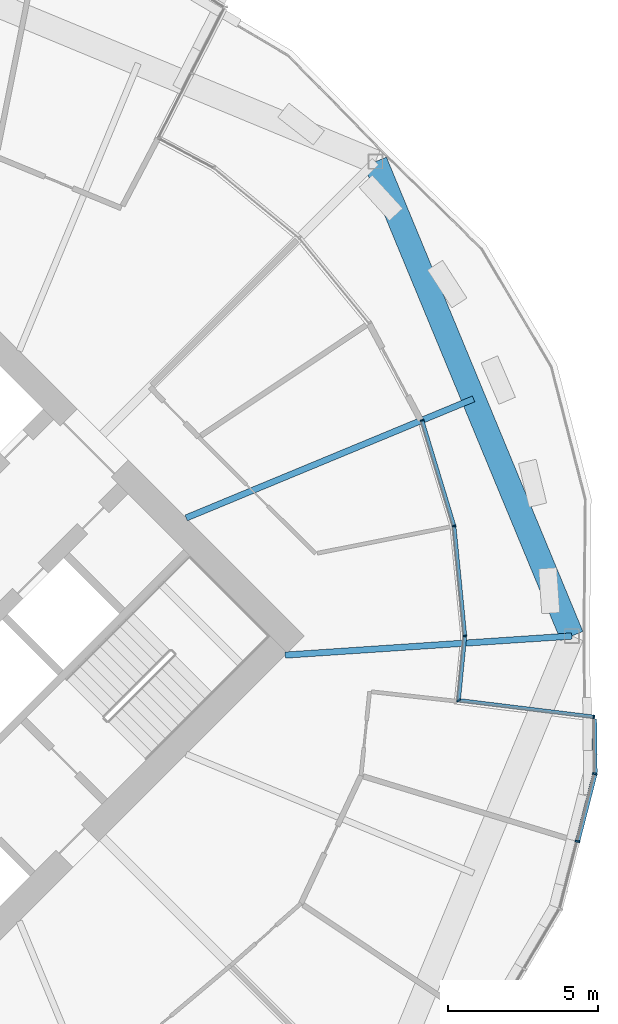
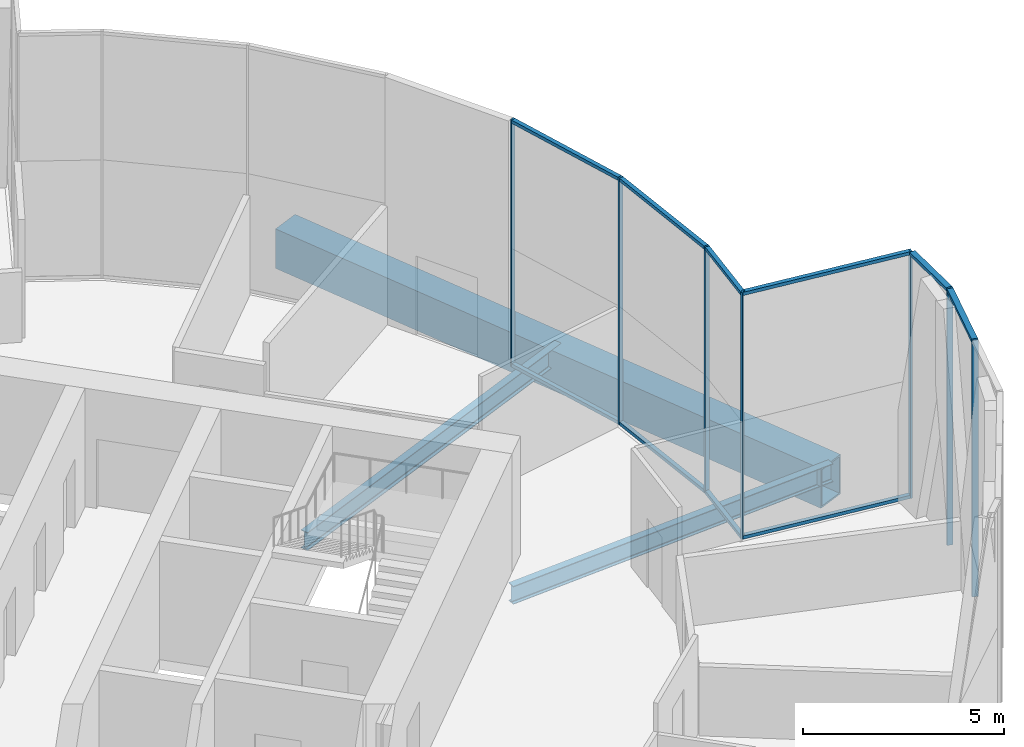
# One storey, part 13 of 27: 17 members, 3 beams, 4 elements without a shape of their own.
"""IFC4 building model written with IfcOpenShell, lengths in metres."""

from ifc_helpers import new_model, si_unit, direction, frame, origin, origin_2d, place, context, subcontext, project, spatial, rectangle, hollow_rectangle, i_section, extrude, material, material_profile, profile_set, type_object, element, aggregate, save


model = new_model("IFC4")

# Units and contexts
model_context = context("Model", 3, precision=1e-05, world=origin(), true_north=direction((0.0, 1.0)))
body_context = subcontext(model_context, "Body", "Model", "MODEL_VIEW")
ifc_project = project(units=[si_unit("LENGTHUNIT", "METRE"), si_unit("AREAUNIT", "SQUARE_METRE"), si_unit("VOLUMEUNIT", "CUBIC_METRE"), si_unit("PLANEANGLEUNIT", "RADIAN"), si_unit("MASSUNIT", "GRAM", prefix="KILO")], contexts=[model_context])

# Site, building, storey
site_placement = place(None, origin())
site = spatial("IfcSite", under=ifc_project, at=site_placement, CompositionType="ELEMENT")
building_placement = place(site_placement, origin())
building = spatial("IfcBuilding", under=site, at=building_placement, Name="Ogive Gate Towers", CompositionType="ELEMENT")
storey_placement = place(building_placement, frame((0.0, 0.0, 123.0)))
storey = spatial("IfcBuildingStorey", under=building, at=storey_placement, Name="L29", CompositionType="ELEMENT", Elevation=123.0)

# Beams
ifc_material_1 = material(Name="Steel SM460", Category="steel")
ifc_material_profile_1 = material_profile(ifc_material_1, hollow_rectangle(XDim=0.800048828125, YDim=1.199951171875, WallThickness=0.050048828125, at=origin_2d()), Name="BX 1200x800x50")
ifc_profile_set_1 = profile_set([ifc_material_profile_1], Name="Steel SM460")
beam_type_1 = type_object("IfcBeamType", Name="Edge girder BX 1200x800x50", PredefinedType="BEAM", material=ifc_profile_set_1)
beam_1_placement = place(storey_placement, frame((58.35009765625, 0.0, -0.89990234375), z_axis=(-0.382679941797, 0.923880978344, 0.0), x_axis=(-0.923880978344, -0.382679941797, 0.0)))
element("IfcBeam", 1, at=beam_1_placement, inside=storey, type_object=beam_type_1, Name="T2/L29/SBM020", PredefinedType="BEAM", context=body_context, shape_type="SweptSolid", body=[
    extrude(hollow_rectangle(XDim=0.800048828125, YDim=1.199951171875, WallThickness=0.050048828125, at=origin_2d()), origin(), (0.0, 0.0, 1.0), 17.10595703125),
])
ifc_material_2 = material(Name="Steel SM355", Category="steel")
ifc_material_profile_2 = material_profile(ifc_material_2, i_section(OverallWidth=0.2099609375, OverallDepth=0.550048828125, WebThickness=0.010986328125, FlangeThickness=0.01708984375, FilletRadius=0.02392578125, at=origin_2d()), Name="IPE 550")
ifc_profile_set_2 = profile_set([ifc_material_profile_2], Name="Steel SM355")
beam_type_2 = type_object("IfcBeamType", Name="Radial floor beam IPE 550", PredefinedType="BEAM", material=ifc_profile_set_2)
beam_2_placement = place(storey_placement, frame((48.798583984375, -0.636474609375, -0.574951171875), z_axis=(0.997787188672, 0.066488541289, 0.0), x_axis=(-0.066488541289, 0.997787188672, 0.0)))
element("IfcBeam", 2, at=beam_2_placement, inside=storey, type_object=beam_type_2, Name="T2/L29/SBM007", PredefinedType="BEAM", context=body_context, shape_type="SweptSolid", body=[
    extrude(i_section(OverallWidth=0.2099609375, OverallDepth=0.550048828125, WebThickness=0.010986328125, FlangeThickness=0.01708984375, FilletRadius=0.02392578125, at=origin_2d()), origin(), (0.0, 0.0, 1.0), 9.57275390625),
])
beam_3_placement = place(storey_placement, frame((45.5, 3.93505859375, -0.574951171875), z_axis=(0.92388249198, 0.382676287498, 0.0), x_axis=(-0.382676287498, 0.92388249198, 0.0)))
element("IfcBeam", 3, at=beam_3_placement, inside=storey, type_object=beam_type_2, Name="T2/L29/SBM008", PredefinedType="BEAM", context=body_context, shape_type="SweptSolid", body=[
    extrude(i_section(OverallWidth=0.2099609375, OverallDepth=0.550048828125, WebThickness=0.010986328125, FlangeThickness=0.01708984375, FilletRadius=0.02392578125, at=origin_2d()), origin(), (0.0, 0.0, 1.0), 10.365966796875),
])

# Curtain wall, members
ifc_material_3 = material(Name="Pale metal aluminium", Category="aluminium")
curtain_wall_type_1 = type_object("IfcCurtainWallType", Name="Sky garden glazing", PredefinedType="NOTDEFINED", material=ifc_material_3)
curtain_wall_1_placement = place(storey_placement, origin())
curtain_wall_1 = element("IfcCurtainWall", 4, at=curtain_wall_1_placement, inside=storey, type_object=curtain_wall_type_1, Name="CW4 T2 ECW01b", PredefinedType="NOTDEFINED")
ifc_material_profile_3 = material_profile(ifc_material_3, rectangle(XDim=0.1201171875, YDim=0.050048828125, at=origin_2d()), Name="50 x 120 aluminium box")
ifc_profile_set_3 = profile_set([ifc_material_profile_3], Name="Pale metal aluminium")
member_type_1 = type_object("IfcMemberType", Name="Sky garden glazing mullion 50 x 120", PredefinedType="MULLION", material=ifc_profile_set_3)
member_1_placement = place(storey_placement, frame((53.361572265625, 7.18701171875, 0.0), z_axis=(0.0, 0.0, 1.0), x_axis=(-0.956940335732, -0.290284677254, 0.0)))
member_1 = element("IfcMember", 5, at=member_1_placement, type_object=member_type_1, Name="CW4 mullion", PredefinedType="MULLION", context=body_context, shape_type="SweptSolid", body=[
    extrude(rectangle(XDim=0.1201171875, YDim=0.050048828125, at=origin_2d()), origin(), (0.0, 0.0, 1.0), 7.5),
])
member_2_placement = place(storey_placement, frame((54.429443359375, 3.665771484375, 0.0), z_axis=(0.0, 0.0, 1.0), x_axis=(-0.980785280403, -0.195090322016, 0.0)))
member_2 = element("IfcMember", 6, at=member_2_placement, type_object=member_type_1, Name="CW4 mullion", PredefinedType="MULLION", context=body_context, shape_type="SweptSolid", body=[
    extrude(rectangle(XDim=0.1201171875, YDim=0.050048828125, at=origin_2d()), origin(), (0.0, 0.0, 1.0), 7.5),
])
member_3_placement = place(storey_placement, frame((54.790283203125, 0.00390625, 0.0), z_axis=(0.0, 0.0, 1.0), x_axis=(-0.995184726672, -0.09801714033, 0.0)))
member_3 = element("IfcMember", 7, at=member_3_placement, type_object=member_type_1, Name="CW4 mullion", PredefinedType="MULLION", context=body_context, shape_type="SweptSolid", body=[
    extrude(rectangle(XDim=0.1201171875, YDim=0.050048828125, at=origin_2d()), origin(), (0.0, 0.0, 1.0), 7.5),
])

curtain_wall_2_placement = place(storey_placement, origin())
curtain_wall_2 = element("IfcCurtainWall", 8, at=curtain_wall_2_placement, inside=storey, type_object=curtain_wall_type_1, Name="CW4 T2 ECW03", PredefinedType="NOTDEFINED")
member_4_placement = place(storey_placement, frame((54.5673828125, -2.150146484375, 0.0), z_axis=(0.0, 0.0, 1.0), x_axis=(-0.780583159641, -0.62505194255, 0.0)))
member_4 = element("IfcMember", 9, at=member_4_placement, type_object=member_type_1, Name="CW4 mullion", PredefinedType="MULLION", context=body_context, shape_type="SweptSolid", body=[
    extrude(rectangle(XDim=0.1201171875, YDim=0.050048828125, at=origin_2d()), origin(), (0.0, 0.0, 1.0), 7.5),
])
member_5_placement = place(storey_placement, frame((59.08447265625, -2.693359375, 0.0), z_axis=(0.0, 0.0, 1.0), x_axis=(-0.121886666585, -0.992544024469, 0.0)))
member_5 = element("IfcMember", 10, at=member_5_placement, type_object=member_type_1, Name="CW4 mullion", PredefinedType="MULLION", context=body_context, shape_type="SweptSolid", body=[
    extrude(rectangle(XDim=0.1201171875, YDim=0.050048828125, at=origin_2d()), origin(), (0.0, 0.0, 1.0), 7.5),
])

# Member
ifc_material_profile_4 = material_profile(ifc_material_3, rectangle(XDim=0.1201171875, YDim=0.10009765625, at=origin_2d()), Name="100 x 120 aluminium box")
ifc_profile_set_4 = profile_set([ifc_material_profile_4], Name="Pale metal aluminium")
member_type_2 = type_object("IfcMemberType", Name="Sky garden glazing transom 100 x 120", PredefinedType="USERDEFINED", material=ifc_profile_set_4)
member_6_placement = place(storey_placement, frame((53.36865234375, 7.1630859375, 7.449951171875), z_axis=(0.290293327364, -0.956937711707, 0.0), x_axis=(0.956937711707, 0.290293327364, 0.0)))
member_6 = element("IfcMember", 11, at=member_6_placement, type_object=member_type_2, Name="CW4 transom", ObjectType="TRANSOM", PredefinedType="USERDEFINED", context=body_context, shape_type="SweptSolid", body=[
    extrude(rectangle(XDim=0.1201171875, YDim=0.10009765625, at=origin_2d()), origin(), (0.0, 0.0, 1.0), 3.62548828125),
])

member_7_placement = place(storey_placement, frame((53.36865234375, 7.1630859375, 0.050048828125), z_axis=(0.290293327364, -0.956937711707, 0.0), x_axis=(0.956937711707, 0.290293327364, 0.0)))
member_7 = element("IfcMember", 12, at=member_7_placement, type_object=member_type_2, Name="CW4 transom", ObjectType="TRANSOM", PredefinedType="USERDEFINED", context=body_context, shape_type="SweptSolid", body=[
    extrude(rectangle(XDim=0.1201171875, YDim=0.10009765625, at=origin_2d()), origin(), (0.0, 0.0, 1.0), 3.62548828125),
])

member_8_placement = place(storey_placement, frame((54.4326171875, 3.636962890625, 7.449951171875), z_axis=(0.097976828808, -0.995188696186, 0.0), x_axis=(0.995188696186, 0.097976828808, 0.0)))
member_8 = element("IfcMember", 13, at=member_8_placement, type_object=member_type_2, Name="CW4 transom", ObjectType="TRANSOM", PredefinedType="USERDEFINED", context=body_context, shape_type="SweptSolid", body=[
    extrude(rectangle(XDim=0.1201171875, YDim=0.10009765625, at=origin_2d()), origin(), (0.0, 0.0, 1.0), 3.62548828125),
])

member_9_placement = place(storey_placement, frame((54.4326171875, 3.636962890625, 0.050048828125), z_axis=(0.097976828808, -0.995188696186, 0.0), x_axis=(0.995188696186, 0.097976828808, 0.0)))
member_9 = element("IfcMember", 14, at=member_9_placement, type_object=member_type_2, Name="CW4 transom", ObjectType="TRANSOM", PredefinedType="USERDEFINED", context=body_context, shape_type="SweptSolid", body=[
    extrude(rectangle(XDim=0.1201171875, YDim=0.10009765625, at=origin_2d()), origin(), (0.0, 0.0, 1.0), 3.62548828125),
])

aggregate(curtain_wall_1, [member_1, member_2, member_6, member_7, member_3, member_8, member_9])

member_10_placement = place(storey_placement, frame((54.787841796875, -0.02880859375, 7.449951171875), z_axis=(-0.097964365281, -0.995189923148, 0.0), x_axis=(0.995189923148, -0.097964365281, 0.0)))
member_10 = element("IfcMember", 15, at=member_10_placement, type_object=member_type_2, Name="CW4 transom", ObjectType="TRANSOM", PredefinedType="USERDEFINED", context=body_context, shape_type="SweptSolid", body=[
    extrude(rectangle(XDim=0.1201171875, YDim=0.10009765625, at=origin_2d()), origin(), (0.0, 0.0, 1.0), 2.1357421875),
])

member_11_placement = place(storey_placement, frame((54.787841796875, -0.02880859375, 0.050048828125), z_axis=(-0.097964365281, -0.995189923148, 0.0), x_axis=(0.995189923148, -0.097964365281, 0.0)))
member_11 = element("IfcMember", 16, at=member_11_placement, type_object=member_type_2, Name="CW4 transom", ObjectType="TRANSOM", PredefinedType="USERDEFINED", context=body_context, shape_type="SweptSolid", body=[
    extrude(rectangle(XDim=0.1201171875, YDim=0.10009765625, at=origin_2d()), origin(), (0.0, 0.0, 1.0), 2.1357421875),
])

member_12_placement = place(storey_placement, frame((54.56591796875, -2.138427734375, 7.449951171875), z_axis=(0.992539448807, -0.121923921208, 0.0), x_axis=(0.121923921208, 0.992539448807, 0.0)))
member_12 = element("IfcMember", 17, at=member_12_placement, type_object=member_type_2, Name="CW4 transom", ObjectType="TRANSOM", PredefinedType="USERDEFINED", context=body_context, shape_type="SweptSolid", body=[
    extrude(rectangle(XDim=0.1201171875, YDim=0.10009765625, at=origin_2d()), origin(), (0.0, 0.0, 1.0), 4.52734375),
])

member_13_placement = place(storey_placement, frame((54.56591796875, -2.138427734375, 0.050048828125), z_axis=(0.992539448807, -0.121923921208, 0.0), x_axis=(0.121923921208, 0.992539448807, 0.0)))
member_13 = element("IfcMember", 18, at=member_13_placement, type_object=member_type_2, Name="CW4 transom", ObjectType="TRANSOM", PredefinedType="USERDEFINED", context=body_context, shape_type="SweptSolid", body=[
    extrude(rectangle(XDim=0.1201171875, YDim=0.10009765625, at=origin_2d()), origin(), (0.0, 0.0, 1.0), 4.52734375),
])

aggregate(curtain_wall_2, [member_4, member_10, member_11, member_5, member_12, member_13])

# Curtain wall, members
curtain_wall_type_2 = type_object("IfcCurtainWallType", Name="Tower unitised wall, low zone", PredefinedType="NOTDEFINED", material=ifc_material_3)
curtain_wall_3_placement = place(storey_placement, origin())
curtain_wall_3 = element("IfcCurtainWall", 19, at=curtain_wall_3_placement, inside=storey, type_object=curtain_wall_type_2, Name="CW1 T2 ECW10", PredefinedType="NOTDEFINED")
ifc_material_profile_5 = material_profile(ifc_material_3, rectangle(XDim=0.159912109375, YDim=0.06005859375, at=origin_2d()), Name="60 x 160 aluminium box")
ifc_profile_set_5 = profile_set([ifc_material_profile_5], Name="Pale metal aluminium")
member_type_3 = type_object("IfcMemberType", Name="Tower unitised wall, low zone mullion 60 x 160", PredefinedType="MULLION", material=ifc_profile_set_5)
member_14_placement = place(storey_placement, frame((59.118896484375, -4.592041015625, -0.300048828125), z_axis=(0.0, 0.0, 1.0), x_axis=(-0.968548428028, 0.248825124462, 0.0)))
member_14 = element("IfcMember", 20, at=member_14_placement, type_object=member_type_3, Name="CW1 mullion", PredefinedType="MULLION", context=body_context, shape_type="SweptSolid", body=[
    extrude(rectangle(XDim=0.159912109375, YDim=0.06005859375, at=origin_2d()), origin(), (0.0, 0.0, 1.0), 7.800048828125),
])
member_15_placement = place(storey_placement, frame((58.540771484375, -6.843017578125, -0.300048828125), z_axis=(0.0, 0.0, 1.0), x_axis=(-0.968552770699, 0.248808220065, 0.0)))
member_15 = element("IfcMember", 21, at=member_15_placement, type_object=member_type_3, Name="CW1 mullion", PredefinedType="MULLION", context=body_context, shape_type="SweptSolid", body=[
    extrude(rectangle(XDim=0.159912109375, YDim=0.06005859375, at=origin_2d()), origin(), (0.0, 0.0, 1.0), 7.800048828125),
])
ifc_material_profile_6 = material_profile(ifc_material_3, rectangle(XDim=0.159912109375, YDim=0.10009765625, at=origin_2d()), Name="100 x 160 aluminium box")
ifc_profile_set_6 = profile_set([ifc_material_profile_6], Name="Pale metal aluminium")
member_type_4 = type_object("IfcMemberType", Name="Tower unitised wall, low zone transom 100 x 160", PredefinedType="USERDEFINED", material=ifc_profile_set_6)
member_16_placement = place(storey_placement, frame((59.111572265625, -4.62109375, 7.449951171875), z_axis=(-0.248873427756, -0.968536017377, 0.0), x_axis=(0.968536017377, -0.248873427756, 0.0)))
member_16 = element("IfcMember", 22, at=member_16_placement, type_object=member_type_4, Name="CW1 transom", ObjectType="TRANSOM", PredefinedType="USERDEFINED", context=body_context, shape_type="SweptSolid", body=[
    extrude(rectangle(XDim=0.159912109375, YDim=0.10009765625, at=origin_2d()), origin(), (0.0, 0.0, 1.0), 2.26416015625),
])
aggregate(curtain_wall_3, [member_14, member_15, member_16])

# Curtain wall, member
curtain_wall_4_placement = place(storey_placement, origin())
curtain_wall_4 = element("IfcCurtainWall", 23, at=curtain_wall_4_placement, inside=storey, type_object=curtain_wall_type_2, Name="CW1 T2 ECW10b", PredefinedType="NOTDEFINED")
member_17_placement = place(storey_placement, frame((59.099853515625, -2.762939453125, 7.449951171875), z_axis=(0.010886671077, -0.99994073844, 0.0), x_axis=(0.99994073844, 0.010886671077, 0.0)))
member_17 = element("IfcMember", 24, at=member_17_placement, type_object=member_type_4, Name="CW1 transom", ObjectType="TRANSOM", PredefinedType="USERDEFINED", context=body_context, shape_type="SweptSolid", body=[
    extrude(rectangle(XDim=0.159912109375, YDim=0.10009765625, at=origin_2d()), origin(), (0.0, 0.0, 1.0), 1.7939453125),
])
aggregate(curtain_wall_4, [member_17])

save(model, "model.ifc")
